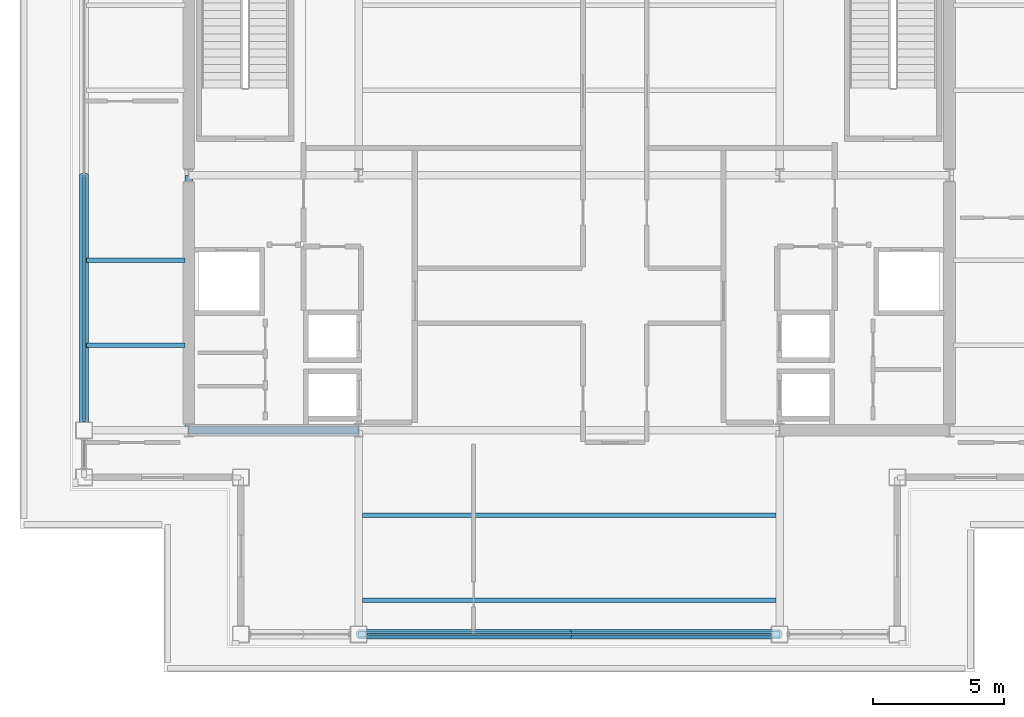
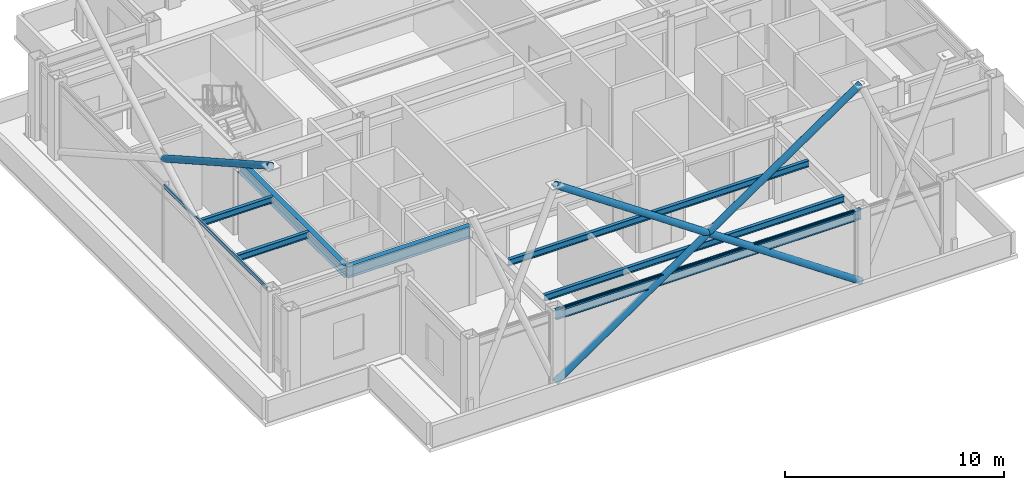
# One storey, part 3 of 19: 7 beams, 6 members, 2 elements without a shape of their own.
"""IFC4 building model written with IfcOpenShell, lengths in metres."""

from ifc_helpers import new_model, si_unit, direction, frame, origin, origin_2d, place, context, subcontext, project, spatial, hollow_rectangle, hollow_circle, i_section, extrude, material, layer, layer_set, material_profile, profile_set, type_object, element, aggregate, save


model = new_model("IFC4")

# Units and contexts
model_context = context("Model", 3, precision=1e-05, world=origin(), true_north=direction((0.0, 1.0)))
body_context = subcontext(model_context, "Body", "Model", "MODEL_VIEW")
ifc_project = project(units=[si_unit("LENGTHUNIT", "METRE"), si_unit("AREAUNIT", "SQUARE_METRE"), si_unit("VOLUMEUNIT", "CUBIC_METRE"), si_unit("PLANEANGLEUNIT", "RADIAN"), si_unit("MASSUNIT", "GRAM", prefix="KILO")], contexts=[model_context])

# Site, building, storey
site_placement = place(None, origin())
site = spatial("IfcSite", under=ifc_project, at=site_placement, CompositionType="ELEMENT")
building_placement = place(site_placement, origin())
building = spatial("IfcBuilding", under=site, at=building_placement, Name="Brelmoor Portico Tower", CompositionType="ELEMENT")
storey_placement = place(building_placement, frame((0.0, 0.0, 213.89990234375)))
storey = spatial("IfcBuildingStorey", under=building, at=storey_placement, Name="L56", CompositionType="ELEMENT", Elevation=213.89990234375)

# Beams
ifc_material_1 = material(Name="Steel Q355B", Category="steel")
ifc_material_profile_1 = material_profile(ifc_material_1, i_section(OverallWidth=0.175048828125, OverallDepth=0.35009765625, WebThickness=0.007080078125, FlangeThickness=0.010986328125, at=origin_2d()), Name="HN 350x175x7x11")
ifc_profile_set_1 = profile_set([ifc_material_profile_1], Name="Steel Q355B")
beam_type_1 = type_object("IfcBeamType", Name="BM-JS-350", PredefinedType="JOIST", material=ifc_profile_set_1)
for number, where, z_axis, x_axis, name in (
    (1, (-7.909912109375, -16.25, 4.125), (1.0, 0.0, 0.0), (0.0, 1.0, 0.0), "L56 Secondary Composite Joist JS-C01"),
    (2, (-7.909912109375, -13.0, 4.125), (1.0, 0.0, 0.0), (0.0, 1.0, 0.0), "L56 Secondary Composite Joist JS-C02"),
):
    element("IfcBeam", number, at=place(storey_placement, frame(where, z_axis=z_axis, x_axis=x_axis)), inside=storey, type_object=beam_type_1, Name=name, PredefinedType="JOIST", context=body_context, shape_type="SweptSolid", body=[
        extrude(i_section(OverallWidth=0.175048828125, OverallDepth=0.35009765625, WebThickness=0.007080078125, FlangeThickness=0.010986328125, at=origin_2d()), origin(), (0.0, 0.0, 1.0), 15.81982421875),
    ])
for number, where, z_axis, x_axis, name in (
    (3, (-18.449951171875, -6.5, 4.125), (1.0, 0.0, 0.0), (0.0, 1.0, 0.0), "L56 Secondary Wing Joist JS-W07"),
    (4, (-18.449951171875, -3.25, 4.125), (1.0, 0.0, 0.0), (0.0, 1.0, 0.0), "L56 Secondary Wing Joist JS-W08"),
):
    element("IfcBeam", number, at=place(storey_placement, frame(where, z_axis=z_axis, x_axis=x_axis)), inside=storey, type_object=beam_type_1, Name=name, PredefinedType="JOIST", context=body_context, shape_type="SweptSolid", body=[
        extrude(i_section(OverallWidth=0.175048828125, OverallDepth=0.35009765625, WebThickness=0.007080078125, FlangeThickness=0.010986328125, at=origin_2d()), origin(), (0.0, 0.0, 1.0), 3.760009765625),
    ])
ifc_material_profile_2 = material_profile(ifc_material_1, i_section(OverallWidth=0.280029296875, OverallDepth=0.64990234375, WebThickness=0.012939453125, FlangeThickness=0.02197265625, at=origin_2d()), Name="HN 650x280x13x22")
ifc_profile_set_2 = profile_set([ifc_material_profile_2], Name="Steel Q355B")
beam_type_2 = type_object("IfcBeamType", Name="BM-PG-650", PredefinedType="BEAM", material=ifc_profile_set_2)
beam_1_placement = place(storey_placement, frame((-14.550048828125, -9.75, 3.97509765625), z_axis=(0.0, 1.0, 0.0), x_axis=(-1.0, 0.0, 0.0)))
element("IfcBeam", 5, at=beam_1_placement, inside=storey, type_object=beam_type_2, Name="L56 Primary Floor Girder PG-01", PredefinedType="BEAM", context=body_context, shape_type="SweptSolid", body=[
    extrude(i_section(OverallWidth=0.280029296875, OverallDepth=0.64990234375, WebThickness=0.012939453125, FlangeThickness=0.02197265625, at=origin_2d()), origin(), (0.0, 0.0, 1.0), 9.75),
])
beam_2_placement = place(storey_placement, frame((-14.550048828125, -9.75, 3.97509765625), z_axis=(1.0, 0.0, 0.0), x_axis=(0.0, 1.0, 0.0)))
element("IfcBeam", 6, at=beam_2_placement, inside=storey, type_object=beam_type_2, Name="L56 Primary Floor Girder PG-12", PredefinedType="BEAM", context=body_context, shape_type="SweptSolid", body=[
    extrude(i_section(OverallWidth=0.280029296875, OverallDepth=0.64990234375, WebThickness=0.012939453125, FlangeThickness=0.02197265625, at=origin_2d()), origin(), (0.0, 0.0, 1.0), 6.5),
])
ifc_material_profile_3 = material_profile(ifc_material_1, i_section(OverallWidth=0.199951171875, OverallDepth=0.550048828125, WebThickness=0.010009765625, FlangeThickness=0.01611328125, at=origin_2d()), Name="HN 550x200x10x16")
ifc_profile_set_3 = profile_set([ifc_material_profile_3], Name="Steel Q355B")
beam_type_3 = type_object("IfcBeamType", Name="BM-SP-550", PredefinedType="SPANDREL", material=ifc_profile_set_3)
beam_3_placement = place(storey_placement, frame((-8.050048828125, -17.550048828125, 4.025146484375), z_axis=(1.0, 0.0, 0.0), x_axis=(0.0, 1.0, 0.0)))
element("IfcBeam", 7, at=beam_3_placement, inside=storey, type_object=beam_type_3, Name="L56 Perimeter Spandrel Beam SP-02", PredefinedType="SPANDREL", context=body_context, shape_type="SweptSolid", body=[
    extrude(i_section(OverallWidth=0.199951171875, OverallDepth=0.550048828125, WebThickness=0.010009765625, FlangeThickness=0.01611328125, at=origin_2d()), origin(), (0.0, 0.0, 1.0), 16.10009765625),
])

# Members
ifc_material_profile_4 = material_profile(ifc_material_1, hollow_circle(Radius=0.177978515625, WallThickness=0.01611328125, at=origin_2d()), Name="CHS 356x16")
ifc_profile_set_4 = profile_set([ifc_material_profile_4], Name="Steel Q355B")
member_type_1 = type_object("IfcMemberType", Name="MB-BELT-DIAG2", PredefinedType="BRACE", material=ifc_profile_set_4)
member_1_placement = place(storey_placement, frame((-8.050048828125, -17.550048828125, 0.25), z_axis=(0.825686049138, 0.0, 0.564129903709), x_axis=(0.0, 1.0, 0.0)))
element("IfcMember", 8, at=member_1_placement, inside=storey, type_object=member_type_1, Name="L56 Continuous Mega-X Brace 128A", PredefinedType="BRACE", context=body_context, shape_type="SweptSolid", body=[
    extrude(hollow_circle(Radius=0.177978515625, WallThickness=0.01611328125, at=origin_2d()), origin(), (0.0, 0.0, 1.0), 19.4990234375),
])
for number, where, z_axis, x_axis, name in (
    (9, (8.050048828125, -17.550048828125, 0.25), (-0.825686049138, 0.0, 0.564129903709), (0.0, -1.0, 0.0), "L56 Split Mega-X Brace 128B1"),
    (10, (0.0, -17.550048828125, 5.75), (-0.825686049138, 0.0, 0.564129903709), (0.0, -1.0, 0.0), "L56 Split Mega-X Brace 128B2"),
):
    element("IfcMember", number, at=place(storey_placement, frame(where, z_axis=z_axis, x_axis=x_axis)), inside=storey, type_object=member_type_1, Name=name, PredefinedType="BRACE", context=body_context, shape_type="SweptSolid", body=[
        extrude(hollow_circle(Radius=0.177978515625, WallThickness=0.01611328125, at=origin_2d()), origin(), (0.0, 0.0, 1.0), 9.74951171875),
    ])
member_2_placement = place(storey_placement, frame((-18.550048828125, 0.0, 5.75), z_axis=(0.0, -0.870978467743, 0.491321186932), x_axis=(1.0, 0.0, 0.0)))
element("IfcMember", 11, at=member_2_placement, inside=storey, type_object=member_type_1, Name="L56 Split Mega-X Brace 132B2", PredefinedType="BRACE", context=body_context, shape_type="SweptSolid", body=[
    extrude(hollow_circle(Radius=0.177978515625, WallThickness=0.01611328125, at=origin_2d()), origin(), (0.0, 0.0, 1.0), 11.1943359375),
])

# Curtain wall, member
ifc_material_2 = material(Name="Anodised Aluminium Alloy 6063-T6", Category="aluminium")
ifc_layer = layer(ifc_material_2, 0.179931640625)
ifc_layer_set = layer_set([ifc_layer], Name="Anodised Aluminium Alloy 6063-T6")
curtain_wall_type = type_object("IfcCurtainWallType", Name="CW-SKYLOBBY-XB", PredefinedType="NOTDEFINED", material=ifc_layer_set)
curtain_wall_1_placement = place(storey_placement, origin())
curtain_wall_1 = element("IfcCurtainWall", 12, at=curtain_wall_1_placement, inside=storey, type_object=curtain_wall_type, Name="L56 Curtain Wall CW-L56-01-2", PredefinedType="NOTDEFINED")
ifc_material_profile_5 = material_profile(ifc_material_2, hollow_rectangle(XDim=0.070068359375, YDim=0.159912109375, WallThickness=0.00390625, at=origin_2d()), Name="ALU TRANSOM 70x160")
ifc_profile_set_5 = profile_set([ifc_material_profile_5], Name="Anodised Aluminium Alloy 6063-T6")
member_type_2 = type_object("IfcMemberType", Name="MB-CW-TRAN-160", PredefinedType="USERDEFINED", material=ifc_profile_set_5)
member_3_placement = place(storey_placement, frame((-7.715087890625, -17.550048828125, 4.22021484375), z_axis=(1.0, 0.0, 0.0), x_axis=(0.0, 1.0, 0.0)))
member_3 = element("IfcMember", 13, at=member_3_placement, type_object=member_type_2, Name="CW-L56-01-2 Transom 1-00", ObjectType="TRANSOM", PredefinedType="USERDEFINED", context=body_context, shape_type="SweptSolid", body=[
    extrude(hollow_rectangle(XDim=0.070068359375, YDim=0.159912109375, WallThickness=0.00390625, at=origin_2d()), origin(), (0.0, 0.0, 1.0), 15.43017578125),
])
aggregate(curtain_wall_1, [member_3])

curtain_wall_2_placement = place(storey_placement, origin())
curtain_wall_2 = element("IfcCurtainWall", 14, at=curtain_wall_2_placement, inside=storey, type_object=curtain_wall_type, Name="L56 Curtain Wall CW-L56-03-2", PredefinedType="NOTDEFINED")
member_4_placement = place(storey_placement, frame((-18.550048828125, -9.4150390625, 4.22021484375), z_axis=(0.0, 1.0, 0.0), x_axis=(-1.0, 0.0, 0.0)))
member_4 = element("IfcMember", 15, at=member_4_placement, type_object=member_type_2, Name="CW-L56-03-2 Transom 1-00", ObjectType="TRANSOM", PredefinedType="USERDEFINED", context=body_context, shape_type="SweptSolid", body=[
    extrude(hollow_rectangle(XDim=0.070068359375, YDim=0.159912109375, WallThickness=0.00390625, at=origin_2d()), origin(), (0.0, 0.0, 1.0), 9.4150390625),
])
aggregate(curtain_wall_2, [member_4])

save(model, "model.ifc")
